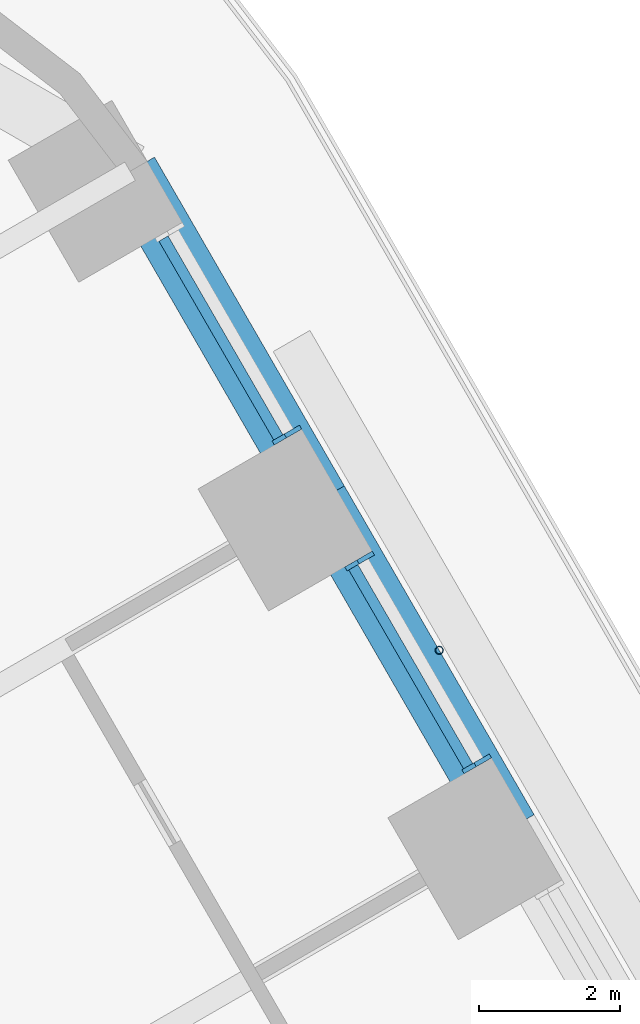
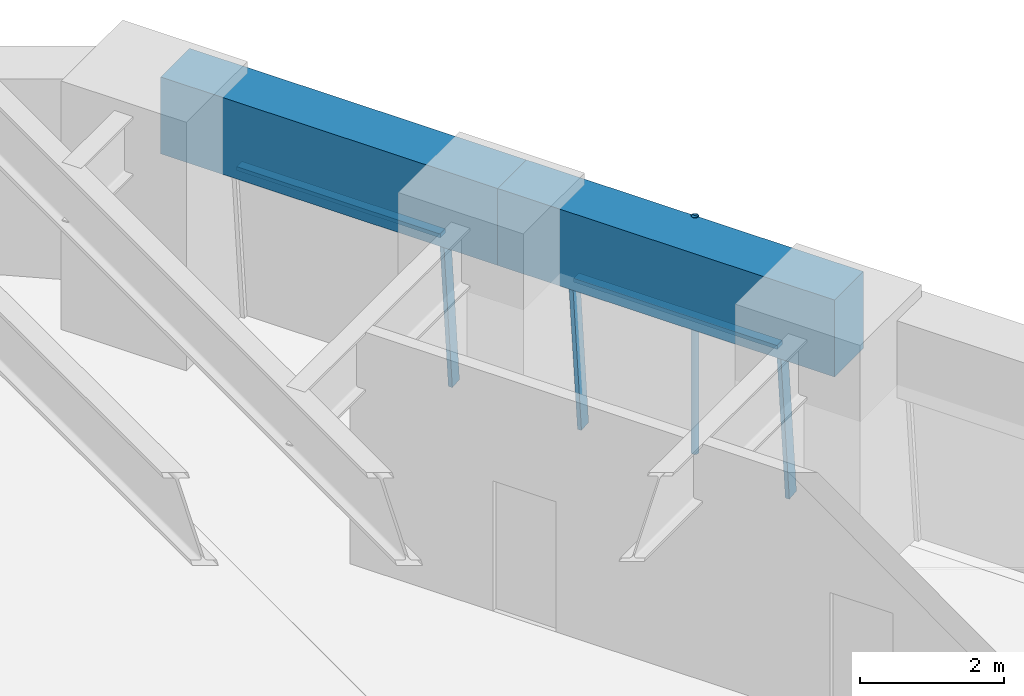
# One storey, part 11 of 24: 6 members, 2 beams, 2 elements without a shape of their own.
"""IFC4 building model written with IfcOpenShell, lengths in metres."""

from ifc_helpers import new_model, si_unit, direction, frame, origin, origin_2d, place, context, subcontext, project, spatial, rectangle, hollow_circle, extrude, material, material_profile, profile_set, type_object, element, aggregate, save


model = new_model("IFC4")

# Units and contexts
model_context = context("Model", 3, precision=1e-05, world=origin(), true_north=direction((0.0, 1.0)))
body_context = subcontext(model_context, "Body", "Model", "MODEL_VIEW")
ifc_project = project(units=[si_unit("LENGTHUNIT", "METRE"), si_unit("AREAUNIT", "SQUARE_METRE"), si_unit("VOLUMEUNIT", "CUBIC_METRE"), si_unit("PLANEANGLEUNIT", "RADIAN"), si_unit("MASSUNIT", "GRAM", prefix="KILO")], contexts=[model_context])

# Site, building, storey
site_placement = place(None, origin())
site = spatial("IfcSite", under=ifc_project, at=site_placement, CompositionType="ELEMENT")
building_placement = place(site_placement, origin())
building = spatial("IfcBuilding", under=site, at=building_placement, Name="Tarfa Lantern Tower", CompositionType="ELEMENT")
storey_placement = place(building_placement, frame((0.0, 0.0, 73.89990234375)))
storey = spatial("IfcBuildingStorey", under=building, at=storey_placement, Name="L16", CompositionType="ELEMENT", Elevation=73.89990234375)

# Curtain wall, members
ifc_material_1 = material(Name="Aluminium framed curtain wall", Category="aluminium")
curtain_wall_type = type_object("IfcCurtainWallType", Name="CW1 CANTED GLAZING LOW ZONE 2700", PredefinedType="USERDEFINED", material=ifc_material_1)
curtain_wall_1_placement = place(storey_placement, origin())
curtain_wall_1 = element("IfcCurtainWall", 1, at=curtain_wall_1_placement, inside=storey, type_object=curtain_wall_type, Name="CW1 NE L16", ObjectType="CURTAIN WALL", PredefinedType="USERDEFINED")
ifc_material_2 = material(Name="Aluminium mullion", Category="aluminium")
ifc_material_profile_1 = material_profile(ifc_material_2, rectangle(XDim=0.06494140625, YDim=0.199951171875, at=origin_2d()), Name="AL MULLION 65x200")
ifc_profile_set_1 = profile_set([ifc_material_profile_1], Name="Aluminium mullion")
member_type_1 = type_object("IfcMemberType", Name="CWM1 MULLION 65x200", PredefinedType="MULLION", material=ifc_profile_set_1)
member_1_placement = place(storey_placement, frame((26.147705078125, 22.5107421875, 0.0), z_axis=(-0.079857261722, -0.046095736191, 0.995739926314), x_axis=(0.499919672301, -0.866071776036, 0.0)))
member_1 = element("IfcMember", 2, at=member_1_placement, type_object=member_type_1, Name="CW1 mullion 1", PredefinedType="MULLION", context=body_context, shape_type="SweptSolid", body=[
    extrude(rectangle(XDim=0.06494140625, YDim=0.199951171875, at=origin_2d()), origin(), (0.0, 0.0, 1.0), 2.711669921875),
])
member_2_placement = place(storey_placement, frame((24.48583984375, 25.38916015625, 0.0), z_axis=(-0.079857261722, -0.046095736191, 0.995739926314), x_axis=(0.499919672301, -0.866071776036, 0.0)))
member_2 = element("IfcMember", 3, at=member_2_placement, type_object=member_type_1, Name="CW1 mullion 2", PredefinedType="MULLION", context=body_context, shape_type="SweptSolid", body=[
    extrude(rectangle(XDim=0.06494140625, YDim=0.199951171875, at=origin_2d()), origin(), (0.0, 0.0, 1.0), 2.711669921875),
])

# Curtain wall, member
curtain_wall_2_placement = place(storey_placement, origin())
curtain_wall_2 = element("IfcCurtainWall", 4, at=curtain_wall_2_placement, inside=storey, type_object=curtain_wall_type, Name="CW1 NE L16", ObjectType="CURTAIN WALL", PredefinedType="USERDEFINED")
member_3_placement = place(storey_placement, frame((23.453369140625, 27.177490234375, 0.0), z_axis=(-0.079857261722, -0.046095736191, 0.995739926314), x_axis=(0.499919672301, -0.866071776036, 0.0)))
member_3 = element("IfcMember", 5, at=member_3_placement, type_object=member_type_1, Name="CW1 mullion 1", PredefinedType="MULLION", context=body_context, shape_type="SweptSolid", body=[
    extrude(rectangle(XDim=0.06494140625, YDim=0.199951171875, at=origin_2d()), origin(), (0.0, 0.0, 1.0), 2.711669921875),
])

# Member
ifc_material_3 = material(Name="Aluminium transom", Category="aluminium")
ifc_material_profile_2 = material_profile(ifc_material_3, rectangle(XDim=0.14990234375, YDim=0.06494140625, at=origin_2d()), Name="AL TRANSOM 150x65")
ifc_profile_set_2 = profile_set([ifc_material_profile_2], Name="Aluminium transom")
member_type_2 = type_object("IfcMemberType", Name="CWT1 TRANSOM 150x65", PredefinedType="USERDEFINED", material=ifc_profile_set_2)
member_4_placement = place(storey_placement, frame((25.91748046875, 22.41552734375, 2.66748046875), z_axis=(-0.499966746847, 0.86604460165, 0.0), x_axis=(-0.86604460165, -0.499966746847, 0.0)))
member_4 = element("IfcMember", 6, at=member_4_placement, type_object=member_type_2, Name="CW1 transom 1.2", ObjectType="TRANSOM", PredefinedType="USERDEFINED", context=body_context, shape_type="SweptSolid", body=[
    extrude(rectangle(XDim=0.14990234375, YDim=0.06494140625, at=origin_2d()), origin(), (0.0, 0.0, 1.0), 3.258544921875),
])

aggregate(curtain_wall_1, [member_1, member_2, member_4])

member_5_placement = place(storey_placement, frame((23.22314453125, 27.082275390625, 2.66748046875), z_axis=(-0.499966746847, 0.86604460165, 0.0), x_axis=(-0.86604460165, -0.499966746847, 0.0)))
member_5 = element("IfcMember", 7, at=member_5_placement, type_object=member_type_2, Name="CW1 transom 1.2", ObjectType="TRANSOM", PredefinedType="USERDEFINED", context=body_context, shape_type="SweptSolid", body=[
    extrude(rectangle(XDim=0.14990234375, YDim=0.06494140625, at=origin_2d()), origin(), (0.0, 0.0, 1.0), 3.258544921875),
])

aggregate(curtain_wall_2, [member_3, member_5])

# Beams
ifc_material_4 = material(Name="Concrete C80/95", Category="concrete")
ifc_material_profile_3 = material_profile(ifc_material_4, rectangle(XDim=0.800048828125, YDim=1.300048828125, at=origin_2d()), Name="RC 800x1300")
ifc_profile_set_3 = profile_set([ifc_material_profile_3], Name="Concrete C80/95")
beam_type = type_object("IfcBeamType", Name="EB1 RC 800x1300", PredefinedType="SPANDREL", material=ifc_profile_set_3)
for number, where, z_axis, x_axis, name in (
    (8, (26.508056640625, 21.526611328125, 3.35009765625), (-0.499998287579, 0.866026392449, 0.0), (-0.866026392449, -0.499998287579, 0.0), "Edge beam NE4"),
    (9, (23.813720703125, 26.193359375, 3.35009765625), (-0.499998287579, 0.866026392449, 0.0), (-0.866026392449, -0.499998287579, 0.0), "Edge beam NE5"),
):
    element("IfcBeam", number, at=place(storey_placement, frame(where, z_axis=z_axis, x_axis=x_axis)), inside=storey, type_object=beam_type, Name=name, PredefinedType="SPANDREL", context=body_context, shape_type="SweptSolid", body=[
        extrude(rectangle(XDim=0.800048828125, YDim=1.300048828125, at=origin_2d()), origin(), (0.0, 0.0, 1.0), 5.388671875),
    ])

# Member
ifc_material_5 = material(Name="Steel S355", Category="steel")
ifc_material_profile_4 = material_profile(ifc_material_5, hollow_circle(Radius=0.05712890625, WallThickness=0.00634765625, at=origin_2d()), Name="CHS114.3x6.3")
ifc_profile_set_4 = profile_set([ifc_material_profile_4], Name="Steel S355")
member_type_3 = type_object("IfcMemberType", Name="TR1 GREEN WALL TRELLIS CHS114.3x6.3", PredefinedType="USERDEFINED", material=ifc_profile_set_4)
member_6_placement = place(storey_placement, frame((25.50732421875, 24.06005859375, 0.0), z_axis=(0.0, 0.0, 1.0), x_axis=(1.0, 0.0, 0.0)))
element("IfcMember", 10, at=member_6_placement, inside=storey, type_object=member_type_3, Name="Trellis post NE 2", ObjectType="TRELLIS", PredefinedType="USERDEFINED", context=body_context, shape_type="SweptSolid", body=[
    extrude(hollow_circle(Radius=0.05712890625, WallThickness=0.00634765625, at=origin_2d()), origin(), (0.0, 0.0, 1.0), 4.0),
])

save(model, "model.ifc")
